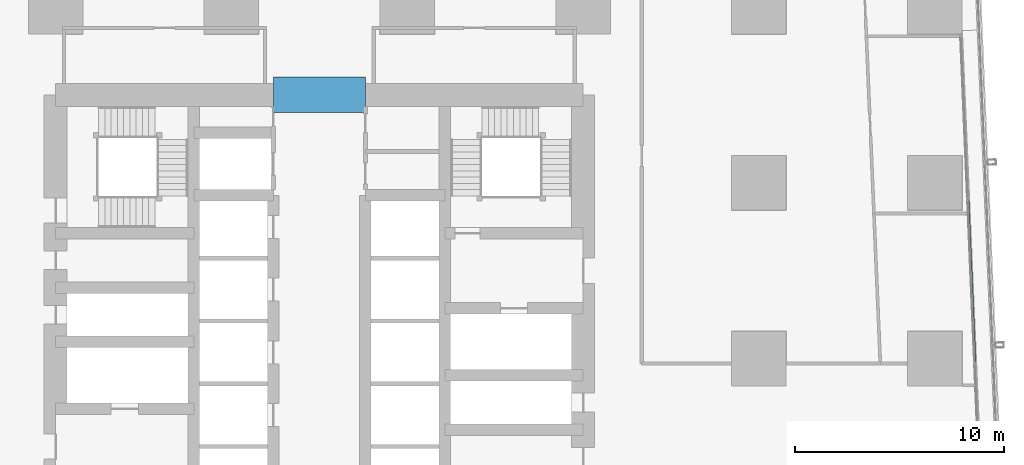
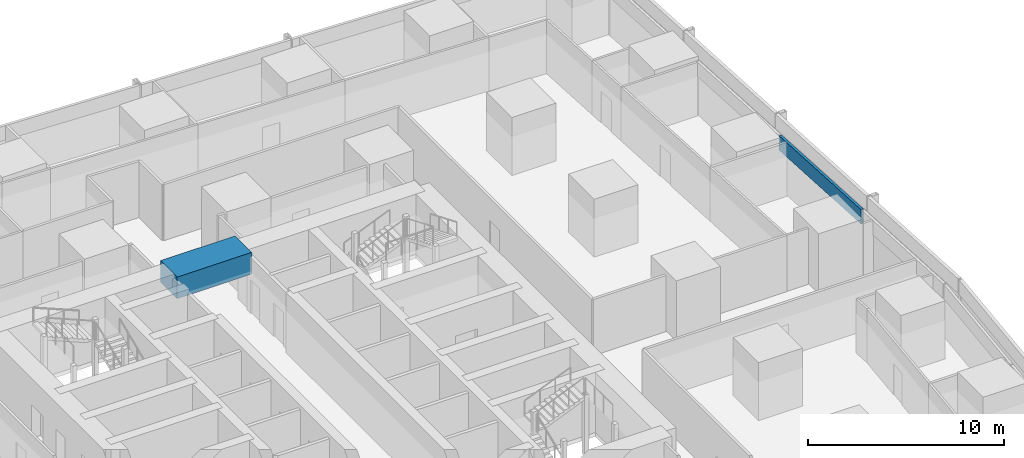
# One storey, part 19 of 46: 1 beam, 1 member, 1 element without a shape of its own.
"""IFC4 building model written with IfcOpenShell, lengths in metres."""

from ifc_helpers import new_model, si_unit, direction, frame, origin, origin_2d, place, context, subcontext, project, spatial, rectangle, hollow_rectangle, extrude, material, material_profile, profile_set, type_object, element, aggregate, save


model = new_model("IFC4")

# Units and contexts
model_context = context("Model", 3, precision=1e-05, world=origin(), true_north=direction((0.0, 1.0)))
body_context = subcontext(model_context, "Body", "Model", "MODEL_VIEW")
ifc_project = project(units=[si_unit("LENGTHUNIT", "METRE"), si_unit("AREAUNIT", "SQUARE_METRE"), si_unit("VOLUMEUNIT", "CUBIC_METRE"), si_unit("PLANEANGLEUNIT", "RADIAN"), si_unit("MASSUNIT", "GRAM", prefix="KILO")], contexts=[model_context])

# Site, building, storey
site_placement = place(None, origin())
site = spatial("IfcSite", under=ifc_project, at=site_placement, CompositionType="ELEMENT")
building_placement = place(site_placement, origin())
building = spatial("IfcBuilding", under=site, at=building_placement, Name="Rekha Terrace Tower", CompositionType="ELEMENT")
storey_placement = place(building_placement, frame((0.0, 0.0, 29.14990234375)))
storey = spatial("IfcBuildingStorey", under=building, at=storey_placement, Name="L06", CompositionType="ELEMENT", Elevation=29.14990234375)

# Curtain wall, member
ifc_material_1 = material(Name="Aluminium framing", Category="aluminium")
curtain_wall_type = type_object("IfcCurtainWallType", Name="CW1 double skin inner glazing", PredefinedType="USERDEFINED", material=ifc_material_1)
curtain_wall_placement = place(storey_placement, origin())
curtain_wall = element("IfcCurtainWall", 1, at=curtain_wall_placement, inside=storey, type_object=curtain_wall_type, Name="CW1 double skin inner glazing", ObjectType="DOUBLE SKIN INNER GLAZING", PredefinedType="USERDEFINED")
ifc_material_2 = material(Name="Insulated aluminium spandrel box", Category="aluminium")
ifc_material_profile_1 = material_profile(ifc_material_2, hollow_rectangle(XDim=0.14990234375, YDim=0.89990234375, WallThickness=0.0029296875, at=origin_2d()), Name="AL SPANDREL BOX 150x900")
ifc_profile_set_1 = profile_set([ifc_material_profile_1], Name="Insulated aluminium spandrel box")
member_type = type_object("IfcMemberType", Name="CW1 spandrel transom 150 x 900", PredefinedType="USERDEFINED", material=ifc_profile_set_1)
member_placement = place(storey_placement, frame((69.101318359375, 33.404296875, 3.050048828125), z_axis=(-0.042689659965, 0.999088380941, 0.0), x_axis=(-0.999088380941, -0.042689659965, 0.0)))
member = element("IfcMember", 2, at=member_placement, type_object=member_type, Name="CW1 spandrel transom 2", ObjectType="TRANSOM", PredefinedType="USERDEFINED", context=body_context, shape_type="SweptSolid", body=[
    extrude(hollow_rectangle(XDim=0.14990234375, YDim=0.89990234375, WallThickness=0.0029296875, at=origin_2d()), origin(), (0.0, 0.0, 1.0), 7.794921875),
])
aggregate(curtain_wall, [member])

# Beam
ifc_material_3 = material(Name="Concrete M70", Category="concrete")
ifc_material_profile_2 = material_profile(ifc_material_3, rectangle(XDim=1.699951171875, YDim=1.35009765625, at=origin_2d()), Name="RC 1700x1350")
ifc_profile_set_2 = profile_set([ifc_material_profile_2], Name="Concrete M70")
beam_type = type_object("IfcBeamType", Name="LB1A 1700x1350 diagonally reinforced coupling beam", PredefinedType="LINTEL", material=ifc_profile_set_2)
beam_placement = place(storey_placement, frame((35.60009765625, 46.199951171875, 3.0751953125), z_axis=(1.0, 0.0, 0.0), x_axis=(0.0, 1.0, 0.0)))
element("IfcBeam", 3, at=beam_placement, inside=storey, type_object=beam_type, Name="Coupling beam LB1A N L06", PredefinedType="LINTEL", context=body_context, shape_type="SweptSolid", body=[
    extrude(rectangle(XDim=1.699951171875, YDim=1.35009765625, at=origin_2d()), origin(), (0.0, 0.0, 1.0), 4.39990234375),
])

save(model, "model.ifc")
